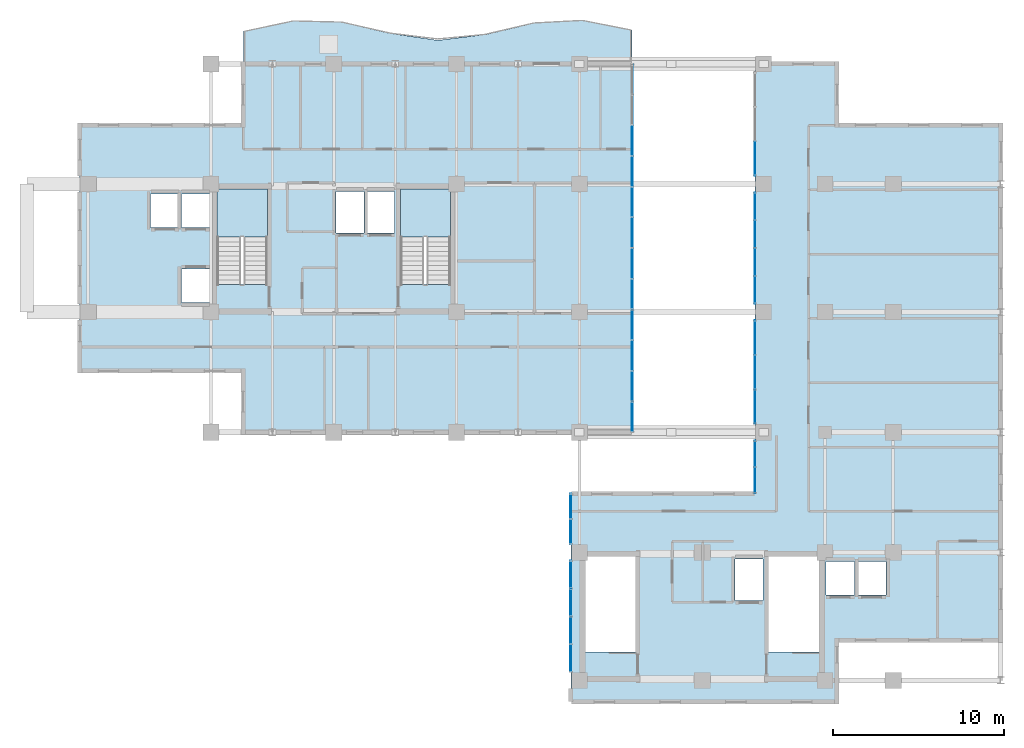
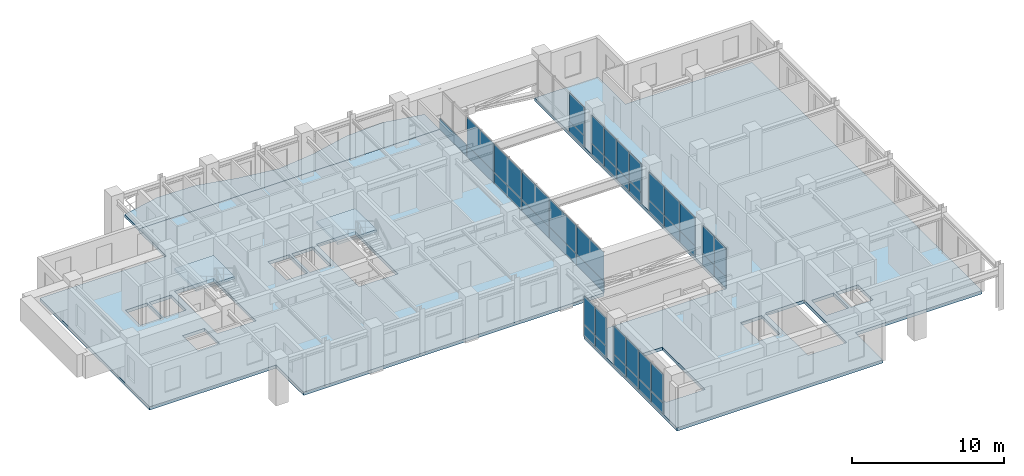
# One storey, part 15 of 23: 43 plates, 5 slabs, 9 elements without a shape of their own.
"""IFC4 building model written with IfcOpenShell, lengths in metres."""

from ifc_helpers import new_model, si_unit, direction, frame, origin, origin_2d, place, context, subcontext, project, spatial, polyline, rectangle, outline, extrude, source, transform, mapped, material, layer, layer_set, type_object, element, aggregate, save


model = new_model("IFC4")

# Units and contexts
model_context = context("Model", 3, precision=1e-05, world=origin(), true_north=direction((0.0, 1.0)))
body_context = subcontext(model_context, "Body", "Model", "MODEL_VIEW")
ifc_project = project(units=[si_unit("LENGTHUNIT", "METRE"), si_unit("AREAUNIT", "SQUARE_METRE"), si_unit("VOLUMEUNIT", "CUBIC_METRE"), si_unit("PLANEANGLEUNIT", "RADIAN"), si_unit("MASSUNIT", "GRAM", prefix="KILO")], contexts=[model_context])

# Site, building, storey
site_placement = place(None, origin())
site = spatial("IfcSite", under=ifc_project, at=site_placement, CompositionType="ELEMENT")
building_placement = place(site_placement, origin())
building = spatial("IfcBuilding", under=site, at=building_placement, Name="Kaliganga Portal Commons", CompositionType="ELEMENT")
storey_placement = place(building_placement, frame((0.0, 0.0, 246.199951171875)))
storey = spatial("IfcBuildingStorey", under=building, at=storey_placement, Name="L63", CompositionType="ELEMENT", Elevation=246.199951171875)

# Slabs
ifc_material_1 = material(Name="Concrete C40/50", Category="concrete")
ifc_layer_1 = layer(ifc_material_1, 0.2099609375)
ifc_layer_set_1 = layer_set([ifc_layer_1], Name="Concrete C40/50")
slab_type_1 = type_object("IfcSlabType", Name="SLB-BALC-210", PredefinedType="FLOOR", material=ifc_layer_set_1)
slab_1_placement = place(storey_placement, frame((0.0, 0.0, -0.2099609375)))
element("IfcSlab", 1, at=slab_1_placement, inside=storey, type_object=slab_type_1, Name="Scalloped Tree-Planter Balcony Slab L63 balc_north", PredefinedType="FLOOR", context=body_context, shape_type="SweptSolid", body=[
    extrude(outline(polyline([(39.10009765625, 43.199951171875), (39.10009765625, 45.19091796875), (36.25, 45.757080078125), (33.39990234375, 45.60791015625), (30.550048828125, 44.931640625), (27.699951171875, 44.583251953125), (24.85009765625, 45.002685546875), (22.0, 45.66015625), (19.14990234375, 45.724609375), (16.300048828125, 45.11474609375), (16.300048828125, 43.199951171875), (39.10009765625, 43.199951171875)])), origin(), (0.0, 0.0, 1.0), 0.2099609375),
])
ifc_material_2 = material(Name="Concrete C50/60", Category="concrete")
ifc_layer_2 = layer(ifc_material_2, 0.260009765625)
ifc_layer_set_2 = layer_set([ifc_layer_2], Name="Concrete C50/60")
slab_type_2 = type_object("IfcSlabType", Name="SLB-PORTAL-260", PredefinedType="FLOOR", material=ifc_layer_set_2)
slab_2_placement = place(storey_placement, frame((0.0, 0.0, -0.260009765625)))
element("IfcSlab", 2, at=slab_2_placement, inside=storey, type_object=slab_type_2, Name="Structural Floor Slab L63:W1", PredefinedType="FLOOR", context=body_context, shape_type="SweptSolid", body=[
    extrude(outline(polyline([(16.300048828125, 21.60009765625), (39.10009765625, 21.60009765625), (39.10009765625, 43.199951171875), (16.300048828125, 43.199951171875), (16.300048828125, 39.60009765625), (6.699951171875, 39.60009765625), (6.699951171875, 25.199951171875), (16.300048828125, 25.199951171875), (16.300048828125, 21.60009765625)]), holes=[polyline([(14.75, 30.25390625), (14.75, 35.85009765625), (17.699951171875, 35.85009765625), (17.699951171875, 30.25390625), (14.75, 30.25390625)]), polyline([(25.5, 30.25390625), (25.5, 35.85009765625), (28.449951171875, 35.85009765625), (28.449951171875, 30.25390625), (25.5, 30.25390625)]), polyline([(12.6650390625, 33.614990234375), (12.6650390625, 35.5849609375), (14.3349609375, 35.5849609375), (14.3349609375, 33.614990234375), (12.6650390625, 33.614990234375)]), polyline([(12.6650390625, 29.215087890625), (12.6650390625, 31.18505859375), (14.3349609375, 31.18505859375), (14.3349609375, 29.215087890625), (12.6650390625, 29.215087890625)]), polyline([(10.864990234375, 33.614990234375), (10.864990234375, 35.5849609375), (12.534912109375, 35.5849609375), (12.534912109375, 33.614990234375), (10.864990234375, 33.614990234375)]), polyline([(21.739990234375, 33.2900390625), (21.739990234375, 35.7099609375), (23.360107421875, 35.7099609375), (23.360107421875, 33.2900390625), (21.739990234375, 33.2900390625)]), polyline([(23.5400390625, 33.2900390625), (23.5400390625, 35.7099609375), (25.159912109375, 35.7099609375), (25.159912109375, 33.2900390625), (23.5400390625, 33.2900390625)])]), origin(), (0.0, 0.0, 1.0), 0.260009765625),
])
slab_3_placement = place(storey_placement, frame((0.0, 0.0, -0.260009765625)))
element("IfcSlab", 3, at=slab_3_placement, inside=storey, type_object=slab_type_2, Name="Structural Floor Slab L63:W2", PredefinedType="FLOOR", context=body_context, shape_type="SweptSolid", body=[
    extrude(outline(polyline([(35.5, 5.800048828125), (51.10009765625, 5.800048828125), (51.10009765625, 9.39990234375), (60.699951171875, 9.39990234375), (60.699951171875, 39.60009765625), (51.10009765625, 39.60009765625), (51.10009765625, 43.199951171875), (46.300048828125, 43.199951171875), (46.300048828125, 18.0), (35.5, 18.0), (35.5, 5.800048828125)]), holes=[polyline([(36.35009765625, 8.7041015625), (36.35009765625, 14.300048828125), (39.300048828125, 14.300048828125), (39.300048828125, 8.7041015625), (36.35009765625, 8.7041015625)]), polyline([(47.10009765625, 8.7041015625), (47.10009765625, 14.300048828125), (50.050048828125, 14.300048828125), (50.050048828125, 8.7041015625), (47.10009765625, 8.7041015625)]), polyline([(50.465087890625, 12.06494140625), (50.465087890625, 14.034912109375), (52.135009765625, 14.034912109375), (52.135009765625, 12.06494140625), (50.465087890625, 12.06494140625)]), polyline([(52.31494140625, 12.06494140625), (52.31494140625, 14.034912109375), (53.985107421875, 14.034912109375), (53.985107421875, 12.06494140625), (52.31494140625, 12.06494140625)]), polyline([(45.139892578125, 11.739990234375), (45.139892578125, 14.159912109375), (46.760009765625, 14.159912109375), (46.760009765625, 11.739990234375), (45.139892578125, 11.739990234375)])]), origin(), (0.0, 0.0, 1.0), 0.260009765625),
])

# Stair, slab
stair_type = type_object("IfcStairType", Name="ST-CORE-DOGLEG", PredefinedType="HALF_TURN_STAIR", material=ifc_material_1)
stair_1_placement = place(storey_placement, origin())
stair_1 = element("IfcStair", 4, at=stair_1_placement, inside=storey, type_object=stair_type, Name="L63 Protected Exit Stair ST-A1", PredefinedType="HALF_TURN_STAIR")
ifc_layer_3 = layer(ifc_material_1, 0.199951171875)
ifc_layer_set_3 = layer_set([ifc_layer_3], Name="Concrete C40/50")
slab_type_3 = type_object("IfcSlabType", Name="SLB-STAIR-LND", PredefinedType="LANDING", material=ifc_layer_set_3)
slab_4_placement = place(storey_placement, frame((0.0, 0.0, 1.650146484375)))
slab_4 = element("IfcSlab", 5, at=slab_4_placement, type_object=slab_type_3, Name="ST-A1 landing 1", PredefinedType="LANDING", context=body_context, shape_type="SweptSolid", body=[
    extrude(outline(polyline([(17.699951171875, 33.050048828125), (17.699951171875, 35.85009765625), (14.75, 35.85009765625), (14.75, 33.050048828125), (17.699951171875, 33.050048828125)])), origin(), (0.0, 0.0, 1.0), 0.199951171875),
])
aggregate(stair_1, [slab_4])

stair_2_placement = place(storey_placement, origin())
stair_2 = element("IfcStair", 6, at=stair_2_placement, inside=storey, type_object=stair_type, Name="L63 Protected Exit Stair ST-A2", PredefinedType="HALF_TURN_STAIR")
slab_5_placement = place(storey_placement, frame((0.0, 0.0, 1.650146484375)))
slab_5 = element("IfcSlab", 7, at=slab_5_placement, type_object=slab_type_3, Name="ST-A2 landing 1", PredefinedType="LANDING", context=body_context, shape_type="SweptSolid", body=[
    extrude(outline(polyline([(28.449951171875, 33.050048828125), (28.449951171875, 35.85009765625), (25.5, 35.85009765625), (25.5, 33.050048828125), (28.449951171875, 33.050048828125)])), origin(), (0.0, 0.0, 1.0), 0.199951171875),
])
aggregate(stair_2, [slab_5])

# Curtain wall, plates
ifc_material_3 = material(Name="Anodized Aluminium and Laminated Low-E Glass", Category="aluminium")
ifc_layer_4 = layer(ifc_material_3, 0.239990234375)
ifc_layer_set_4 = layer_set([ifc_layer_4], Name="Anodized Aluminium and Laminated Low-E Glass")
curtain_wall_type = type_object("IfcCurtainWallType", Name="CW-SYS-04", PredefinedType="NOTDEFINED", material=ifc_layer_set_4)
curtain_wall_1_placement = place(storey_placement, origin())
curtain_wall_1 = element("IfcCurtainWall", 8, at=curtain_wall_1_placement, inside=storey, type_object=curtain_wall_type, Name="CW 04 L63 P1E01S1", PredefinedType="NOTDEFINED")
ifc_material_4 = material(Name="Insulated Dark Spandrel Panel", Category="metal")
ifc_layer_5 = layer(ifc_material_4, 0.044921875)
ifc_layer_set_5 = layer_set([ifc_layer_5], Name="Insulated Dark Spandrel Panel")
plate_type_1 = type_object("IfcPlateType", Name="PLT-SPN-45", PredefinedType="SHEET", material=ifc_layer_set_5)
shared_shape_1 = source(origin(), body_context, "Body", "SweptSolid", [
    extrude(rectangle(XDim=3.56005859375, YDim=0.044921875, at=origin_2d()), origin(), (0.0, 0.0, 1.0), 0.8984375),
])
plate_1_placement = place(storey_placement, frame((39.10009765625, 23.39990234375, 0.010009765625), z_axis=(0.0, 0.0, 1.0), x_axis=(0.0, 1.0, 0.0)))
plate_1 = element("IfcPlate", 9, at=plate_1_placement, type_object=plate_type_1, Name="CW:04:L63:P1E01S1 Spandrel 00", PredefinedType="SHEET", context=body_context, shape_type="MappedRepresentation", body=[
    mapped(shared_shape_1, transform((0.0, 0.0, 0.0), x_axis=(1.0, 0.0, 0.0), y_axis=(0.0, 1.0, 0.0), z_axis=(0.0, 0.0, 1.0), scale=1.0)),
])
plate_2_placement = place(storey_placement, frame((39.10009765625, 27.0, 0.010009765625), z_axis=(0.0, 0.0, 1.0), x_axis=(0.0, 1.0, 0.0)))
plate_2 = element("IfcPlate", 10, at=plate_2_placement, type_object=plate_type_1, Name="CW:04:L63:P1E01S1 Spandrel 02", PredefinedType="SHEET", context=body_context, shape_type="MappedRepresentation", body=[
    mapped(shared_shape_1, transform((0.0, 0.0, 0.0), x_axis=(1.0, 0.0, 0.0), y_axis=(0.0, 1.0, 0.0), z_axis=(0.0, 0.0, 1.0), scale=1.0)),
])
plate_3_placement = place(storey_placement, frame((39.10009765625, 30.60009765625, 0.010009765625), z_axis=(0.0, 0.0, 1.0), x_axis=(0.0, 1.0, 0.0)))
plate_3 = element("IfcPlate", 11, at=plate_3_placement, type_object=plate_type_1, Name="CW:04:L63:P1E01S1 Spandrel 04", PredefinedType="SHEET", context=body_context, shape_type="MappedRepresentation", body=[
    mapped(shared_shape_1, transform((0.0, 0.0, 0.0), x_axis=(1.0, 0.0, 0.0), y_axis=(0.0, 1.0, 0.0), z_axis=(0.0, 0.0, 1.0), scale=1.0)),
])
plate_4_placement = place(storey_placement, frame((39.10009765625, 34.199951171875, 0.010009765625), z_axis=(0.0, 0.0, 1.0), x_axis=(0.0, 1.0, 0.0)))
plate_4 = element("IfcPlate", 12, at=plate_4_placement, type_object=plate_type_1, Name="CW:04:L63:P1E01S1 Spandrel 06", PredefinedType="SHEET", context=body_context, shape_type="MappedRepresentation", body=[
    mapped(shared_shape_1, transform((0.0, 0.0, 0.0), x_axis=(1.0, 0.0, 0.0), y_axis=(0.0, 1.0, 0.0), z_axis=(0.0, 0.0, 1.0), scale=1.0)),
])
plate_5_placement = place(storey_placement, frame((39.10009765625, 37.800048828125, 0.010009765625), z_axis=(0.0, 0.0, 1.0), x_axis=(0.0, 1.0, 0.0)))
plate_5 = element("IfcPlate", 13, at=plate_5_placement, type_object=plate_type_1, Name="CW:04:L63:P1E01S1 Spandrel 08", PredefinedType="SHEET", context=body_context, shape_type="MappedRepresentation", body=[
    mapped(shared_shape_1, transform((0.0, 0.0, 0.0), x_axis=(1.0, 0.0, 0.0), y_axis=(0.0, 1.0, 0.0), z_axis=(0.0, 0.0, 1.0), scale=1.0)),
])
plate_6_placement = place(storey_placement, frame((39.10009765625, 41.39990234375, 0.010009765625), z_axis=(0.0, 0.0, 1.0), x_axis=(0.0, 1.0, 0.0)))
plate_6 = element("IfcPlate", 14, at=plate_6_placement, type_object=plate_type_1, Name="CW:04:L63:P1E01S1 Spandrel 10", PredefinedType="SHEET", context=body_context, shape_type="MappedRepresentation", body=[
    mapped(shared_shape_1, transform((0.0, 0.0, 0.0), x_axis=(1.0, 0.0, 0.0), y_axis=(0.0, 1.0, 0.0), z_axis=(0.0, 0.0, 1.0), scale=1.0)),
])
ifc_material_5 = material(Name="Dark Solar-Control Laminated Low-E IGU", Category="glass")
ifc_layer_6 = layer(ifc_material_5, 0.028076171875)
ifc_layer_set_6 = layer_set([ifc_layer_6], Name="Dark Solar-Control Laminated Low-E IGU")
plate_type_2 = type_object("IfcPlateType", Name="PLT-GLZ-28", PredefinedType="CURTAIN_PANEL", material=ifc_layer_set_6)
shared_shape_2 = source(origin(), body_context, "Body", "SweptSolid", [
    extrude(rectangle(XDim=3.56005859375, YDim=0.028076171875, at=origin_2d()), origin(), (0.0, 0.0, 1.0), 2.26171875),
])
plate_7_placement = place(storey_placement, frame((39.10009765625, 23.39990234375, 0.928466796875), z_axis=(0.0, 0.0, 1.0), x_axis=(0.0, 1.0, 0.0)))
plate_7 = element("IfcPlate", 15, at=plate_7_placement, type_object=plate_type_2, Name="CW:04:L63:P1E01S1 Vision IGU 00", PredefinedType="CURTAIN_PANEL", context=body_context, shape_type="MappedRepresentation", body=[
    mapped(shared_shape_2, transform((0.0, 0.0, 0.0), x_axis=(1.0, 0.0, 0.0), y_axis=(0.0, 1.0, 0.0), z_axis=(0.0, 0.0, 1.0), scale=1.0)),
])
plate_8_placement = place(storey_placement, frame((39.10009765625, 27.0, 0.928466796875), z_axis=(0.0, 0.0, 1.0), x_axis=(0.0, 1.0, 0.0)))
plate_8 = element("IfcPlate", 16, at=plate_8_placement, type_object=plate_type_2, Name="CW:04:L63:P1E01S1 Vision IGU 02", PredefinedType="CURTAIN_PANEL", context=body_context, shape_type="MappedRepresentation", body=[
    mapped(shared_shape_2, transform((0.0, 0.0, 0.0), x_axis=(1.0, 0.0, 0.0), y_axis=(0.0, 1.0, 0.0), z_axis=(0.0, 0.0, 1.0), scale=1.0)),
])
plate_9_placement = place(storey_placement, frame((39.10009765625, 30.60009765625, 0.928466796875), z_axis=(0.0, 0.0, 1.0), x_axis=(0.0, 1.0, 0.0)))
plate_9 = element("IfcPlate", 17, at=plate_9_placement, type_object=plate_type_2, Name="CW:04:L63:P1E01S1 Vision IGU 04", PredefinedType="CURTAIN_PANEL", context=body_context, shape_type="MappedRepresentation", body=[
    mapped(shared_shape_2, transform((0.0, 0.0, 0.0), x_axis=(1.0, 0.0, 0.0), y_axis=(0.0, 1.0, 0.0), z_axis=(0.0, 0.0, 1.0), scale=1.0)),
])
plate_10_placement = place(storey_placement, frame((39.10009765625, 34.199951171875, 0.928466796875), z_axis=(0.0, 0.0, 1.0), x_axis=(0.0, 1.0, 0.0)))
plate_10 = element("IfcPlate", 18, at=plate_10_placement, type_object=plate_type_2, Name="CW:04:L63:P1E01S1 Vision IGU 06", PredefinedType="CURTAIN_PANEL", context=body_context, shape_type="MappedRepresentation", body=[
    mapped(shared_shape_2, transform((0.0, 0.0, 0.0), x_axis=(1.0, 0.0, 0.0), y_axis=(0.0, 1.0, 0.0), z_axis=(0.0, 0.0, 1.0), scale=1.0)),
])
plate_11_placement = place(storey_placement, frame((39.10009765625, 37.800048828125, 0.928466796875), z_axis=(0.0, 0.0, 1.0), x_axis=(0.0, 1.0, 0.0)))
plate_11 = element("IfcPlate", 19, at=plate_11_placement, type_object=plate_type_2, Name="CW:04:L63:P1E01S1 Vision IGU 08", PredefinedType="CURTAIN_PANEL", context=body_context, shape_type="MappedRepresentation", body=[
    mapped(shared_shape_2, transform((0.0, 0.0, 0.0), x_axis=(1.0, 0.0, 0.0), y_axis=(0.0, 1.0, 0.0), z_axis=(0.0, 0.0, 1.0), scale=1.0)),
])
aggregate(curtain_wall_1, [plate_1, plate_7, plate_2, plate_8, plate_3, plate_9, plate_4, plate_10, plate_5, plate_11, plate_6])

# Curtain wall, plate
curtain_wall_2_placement = place(storey_placement, origin())
curtain_wall_2 = element("IfcCurtainWall", 20, at=curtain_wall_2_placement, inside=storey, type_object=curtain_wall_type, Name="CW 04 L63 P2E07S1", PredefinedType="NOTDEFINED")
shared_shape_3 = source(origin(), body_context, "Body", "SweptSolid", [
    extrude(rectangle(XDim=1.99267578125, YDim=0.044921875, at=origin_2d()), origin(), (0.0, 0.0, 1.0), 0.8984375),
])
plate_12_placement = place(storey_placement, frame((46.300048828125, 37.642333984375, 0.010009765625), z_axis=(0.0, 0.0, 1.0), x_axis=(0.0, -1.0, 0.0)))
plate_12 = element("IfcPlate", 21, at=plate_12_placement, type_object=plate_type_1, Name="CW:04:L63:P2E07S1 Spandrel 02", PredefinedType="SHEET", context=body_context, shape_type="MappedRepresentation", body=[
    mapped(shared_shape_3, transform((0.0, 0.0, 0.0), x_axis=(1.0, 0.0, 0.0), y_axis=(0.0, 1.0, 0.0), z_axis=(0.0, 0.0, 1.0), scale=1.0)),
])

# Curtain wall, plates
curtain_wall_3_placement = place(storey_placement, origin())
curtain_wall_3 = element("IfcCurtainWall", 22, at=curtain_wall_3_placement, inside=storey, type_object=curtain_wall_type, Name="CW 04 L63 P2E07S3", PredefinedType="NOTDEFINED")
plate_13_placement = place(storey_placement, frame((46.300048828125, 27.15771484375, 0.010009765625), z_axis=(0.0, 0.0, 1.0), x_axis=(0.0, -1.0, 0.0)))
plate_13 = element("IfcPlate", 23, at=plate_13_placement, type_object=plate_type_1, Name="CW:04:L63:P2E07S3 Spandrel 00", PredefinedType="SHEET", context=body_context, shape_type="MappedRepresentation", body=[
    mapped(shared_shape_3, transform((0.0, 0.0, 0.0), x_axis=(1.0, 0.0, 0.0), y_axis=(0.0, 1.0, 0.0), z_axis=(0.0, 0.0, 1.0), scale=1.0)),
])
plate_14_placement = place(storey_placement, frame((46.300048828125, 25.125, 0.010009765625), z_axis=(0.0, 0.0, 1.0), x_axis=(0.0, -1.0, 0.0)))
plate_14 = element("IfcPlate", 24, at=plate_14_placement, type_object=plate_type_1, Name="CW:04:L63:P2E07S3 Spandrel 01", PredefinedType="SHEET", context=body_context, shape_type="MappedRepresentation", body=[
    mapped(shared_shape_3, transform((0.0, 0.0, 0.0), x_axis=(1.0, 0.0, 0.0), y_axis=(0.0, 1.0, 0.0), z_axis=(0.0, 0.0, 1.0), scale=1.0)),
])
plate_15_placement = place(storey_placement, frame((46.300048828125, 23.09228515625, 0.010009765625), z_axis=(0.0, 0.0, 1.0), x_axis=(0.0, -1.0, 0.0)))
plate_15 = element("IfcPlate", 25, at=plate_15_placement, type_object=plate_type_1, Name="CW:04:L63:P2E07S3 Spandrel 02", PredefinedType="SHEET", context=body_context, shape_type="MappedRepresentation", body=[
    mapped(shared_shape_3, transform((0.0, 0.0, 0.0), x_axis=(1.0, 0.0, 0.0), y_axis=(0.0, 1.0, 0.0), z_axis=(0.0, 0.0, 1.0), scale=1.0)),
])

# Plate
shared_shape_4 = source(origin(), body_context, "Body", "SweptSolid", [
    extrude(rectangle(XDim=1.99267578125, YDim=0.028076171875, at=origin_2d()), origin(), (0.0, 0.0, 1.0), 2.26171875),
])
plate_16_placement = place(storey_placement, frame((46.300048828125, 37.642333984375, 0.928466796875), z_axis=(0.0, 0.0, 1.0), x_axis=(0.0, -1.0, 0.0)))
plate_16 = element("IfcPlate", 26, at=plate_16_placement, type_object=plate_type_2, Name="CW:04:L63:P2E07S1 Vision IGU 02", PredefinedType="CURTAIN_PANEL", context=body_context, shape_type="MappedRepresentation", body=[
    mapped(shared_shape_4, transform((0.0, 0.0, 0.0), x_axis=(1.0, 0.0, 0.0), y_axis=(0.0, 1.0, 0.0), z_axis=(0.0, 0.0, 1.0), scale=1.0)),
])

aggregate(curtain_wall_2, [plate_12, plate_16])

plate_17_placement = place(storey_placement, frame((46.300048828125, 27.15771484375, 0.928466796875), z_axis=(0.0, 0.0, 1.0), x_axis=(0.0, -1.0, 0.0)))
plate_17 = element("IfcPlate", 27, at=plate_17_placement, type_object=plate_type_2, Name="CW:04:L63:P2E07S3 Vision IGU 00", PredefinedType="CURTAIN_PANEL", context=body_context, shape_type="MappedRepresentation", body=[
    mapped(shared_shape_4, transform((0.0, 0.0, 0.0), x_axis=(1.0, 0.0, 0.0), y_axis=(0.0, 1.0, 0.0), z_axis=(0.0, 0.0, 1.0), scale=1.0)),
])

plate_18_placement = place(storey_placement, frame((46.300048828125, 25.125, 0.928466796875), z_axis=(0.0, 0.0, 1.0), x_axis=(0.0, -1.0, 0.0)))
plate_18 = element("IfcPlate", 28, at=plate_18_placement, type_object=plate_type_2, Name="CW:04:L63:P2E07S3 Vision IGU 01", PredefinedType="CURTAIN_PANEL", context=body_context, shape_type="MappedRepresentation", body=[
    mapped(shared_shape_4, transform((0.0, 0.0, 0.0), x_axis=(1.0, 0.0, 0.0), y_axis=(0.0, 1.0, 0.0), z_axis=(0.0, 0.0, 1.0), scale=1.0)),
])

plate_19_placement = place(storey_placement, frame((46.300048828125, 23.09228515625, 0.928466796875), z_axis=(0.0, 0.0, 1.0), x_axis=(0.0, -1.0, 0.0)))
plate_19 = element("IfcPlate", 29, at=plate_19_placement, type_object=plate_type_2, Name="CW:04:L63:P2E07S3 Vision IGU 02", PredefinedType="CURTAIN_PANEL", context=body_context, shape_type="MappedRepresentation", body=[
    mapped(shared_shape_4, transform((0.0, 0.0, 0.0), x_axis=(1.0, 0.0, 0.0), y_axis=(0.0, 1.0, 0.0), z_axis=(0.0, 0.0, 1.0), scale=1.0)),
])

aggregate(curtain_wall_3, [plate_13, plate_17, plate_14, plate_18, plate_15, plate_19])

# Curtain wall, plates
curtain_wall_4_placement = place(storey_placement, origin())
curtain_wall_4 = element("IfcCurtainWall", 30, at=curtain_wall_4_placement, inside=storey, type_object=curtain_wall_type, Name="CW 04 L63 P2E07S2", PredefinedType="NOTDEFINED")
shared_shape_5 = source(origin(), body_context, "Body", "SweptSolid", [
    extrude(rectangle(XDim=1.596923828125, YDim=0.044921875, at=origin_2d()), origin(), (0.0, 0.0, 1.0), 0.8984375),
])
plate_20_placement = place(storey_placement, frame((46.300048828125, 34.85546875, 0.010009765625), z_axis=(0.0, 0.0, 1.0), x_axis=(0.0, -1.0, 0.0)))
plate_20 = element("IfcPlate", 31, at=plate_20_placement, type_object=plate_type_1, Name="CW:04:L63:P2E07S2 Spandrel 00", PredefinedType="SHEET", context=body_context, shape_type="MappedRepresentation", body=[
    mapped(shared_shape_5, transform((0.0, 0.0, 0.0), x_axis=(1.0, 0.0, 0.0), y_axis=(0.0, 1.0, 0.0), z_axis=(0.0, 0.0, 1.0), scale=1.0)),
])
plate_21_placement = place(storey_placement, frame((46.300048828125, 33.218505859375, 0.010009765625), z_axis=(0.0, 0.0, 1.0), x_axis=(0.0, -1.0, 0.0)))
plate_21 = element("IfcPlate", 32, at=plate_21_placement, type_object=plate_type_1, Name="CW:04:L63:P2E07S2 Spandrel 01", PredefinedType="SHEET", context=body_context, shape_type="MappedRepresentation", body=[
    mapped(shared_shape_5, transform((0.0, 0.0, 0.0), x_axis=(1.0, 0.0, 0.0), y_axis=(0.0, 1.0, 0.0), z_axis=(0.0, 0.0, 1.0), scale=1.0)),
])
plate_22_placement = place(storey_placement, frame((46.300048828125, 31.58154296875, 0.010009765625), z_axis=(0.0, 0.0, 1.0), x_axis=(0.0, -1.0, 0.0)))
plate_22 = element("IfcPlate", 33, at=plate_22_placement, type_object=plate_type_1, Name="CW:04:L63:P2E07S2 Spandrel 02", PredefinedType="SHEET", context=body_context, shape_type="MappedRepresentation", body=[
    mapped(shared_shape_5, transform((0.0, 0.0, 0.0), x_axis=(1.0, 0.0, 0.0), y_axis=(0.0, 1.0, 0.0), z_axis=(0.0, 0.0, 1.0), scale=1.0)),
])
plate_23_placement = place(storey_placement, frame((46.300048828125, 29.944580078125, 0.010009765625), z_axis=(0.0, 0.0, 1.0), x_axis=(0.0, -1.0, 0.0)))
plate_23 = element("IfcPlate", 34, at=plate_23_placement, type_object=plate_type_1, Name="CW:04:L63:P2E07S2 Spandrel 03", PredefinedType="SHEET", context=body_context, shape_type="MappedRepresentation", body=[
    mapped(shared_shape_5, transform((0.0, 0.0, 0.0), x_axis=(1.0, 0.0, 0.0), y_axis=(0.0, 1.0, 0.0), z_axis=(0.0, 0.0, 1.0), scale=1.0)),
])

curtain_wall_5_placement = place(storey_placement, origin())
curtain_wall_5 = element("IfcCurtainWall", 35, at=curtain_wall_5_placement, inside=storey, type_object=curtain_wall_type, Name="CW 04 L63 P2E09S2", PredefinedType="NOTDEFINED")
plate_24_placement = place(storey_placement, frame((35.5, 13.255615234375, 0.010009765625), z_axis=(0.0, 0.0, 1.0), x_axis=(0.0, -1.0, 0.0)))
plate_24 = element("IfcPlate", 36, at=plate_24_placement, type_object=plate_type_1, Name="CW:04:L63:P2E09S2 Spandrel 00", PredefinedType="SHEET", context=body_context, shape_type="MappedRepresentation", body=[
    mapped(shared_shape_5, transform((0.0, 0.0, 0.0), x_axis=(1.0, 0.0, 0.0), y_axis=(0.0, 1.0, 0.0), z_axis=(0.0, 0.0, 1.0), scale=1.0)),
])
plate_25_placement = place(storey_placement, frame((35.5, 11.618408203125, 0.010009765625), z_axis=(0.0, 0.0, 1.0), x_axis=(0.0, -1.0, 0.0)))
plate_25 = element("IfcPlate", 37, at=plate_25_placement, type_object=plate_type_1, Name="CW:04:L63:P2E09S2 Spandrel 01", PredefinedType="SHEET", context=body_context, shape_type="MappedRepresentation", body=[
    mapped(shared_shape_5, transform((0.0, 0.0, 0.0), x_axis=(1.0, 0.0, 0.0), y_axis=(0.0, 1.0, 0.0), z_axis=(0.0, 0.0, 1.0), scale=1.0)),
])
plate_26_placement = place(storey_placement, frame((35.5, 9.9814453125, 0.010009765625), z_axis=(0.0, 0.0, 1.0), x_axis=(0.0, -1.0, 0.0)))
plate_26 = element("IfcPlate", 38, at=plate_26_placement, type_object=plate_type_1, Name="CW:04:L63:P2E09S2 Spandrel 02", PredefinedType="SHEET", context=body_context, shape_type="MappedRepresentation", body=[
    mapped(shared_shape_5, transform((0.0, 0.0, 0.0), x_axis=(1.0, 0.0, 0.0), y_axis=(0.0, 1.0, 0.0), z_axis=(0.0, 0.0, 1.0), scale=1.0)),
])
plate_27_placement = place(storey_placement, frame((35.5, 8.344482421875, 0.010009765625), z_axis=(0.0, 0.0, 1.0), x_axis=(0.0, -1.0, 0.0)))
plate_27 = element("IfcPlate", 39, at=plate_27_placement, type_object=plate_type_1, Name="CW:04:L63:P2E09S2 Spandrel 03", PredefinedType="SHEET", context=body_context, shape_type="MappedRepresentation", body=[
    mapped(shared_shape_5, transform((0.0, 0.0, 0.0), x_axis=(1.0, 0.0, 0.0), y_axis=(0.0, 1.0, 0.0), z_axis=(0.0, 0.0, 1.0), scale=1.0)),
])

# Plate
shared_shape_6 = source(origin(), body_context, "Body", "SweptSolid", [
    extrude(rectangle(XDim=1.596923828125, YDim=0.028076171875, at=origin_2d()), origin(), (0.0, 0.0, 1.0), 2.26171875),
])
plate_28_placement = place(storey_placement, frame((46.300048828125, 34.85546875, 0.928466796875), z_axis=(0.0, 0.0, 1.0), x_axis=(0.0, -1.0, 0.0)))
plate_28 = element("IfcPlate", 40, at=plate_28_placement, type_object=plate_type_2, Name="CW:04:L63:P2E07S2 Vision IGU 00", PredefinedType="CURTAIN_PANEL", context=body_context, shape_type="MappedRepresentation", body=[
    mapped(shared_shape_6, transform((0.0, 0.0, 0.0), x_axis=(1.0, 0.0, 0.0), y_axis=(0.0, 1.0, 0.0), z_axis=(0.0, 0.0, 1.0), scale=1.0)),
])

plate_29_placement = place(storey_placement, frame((46.300048828125, 33.218505859375, 0.928466796875), z_axis=(0.0, 0.0, 1.0), x_axis=(0.0, -1.0, 0.0)))
plate_29 = element("IfcPlate", 41, at=plate_29_placement, type_object=plate_type_2, Name="CW:04:L63:P2E07S2 Vision IGU 01", PredefinedType="CURTAIN_PANEL", context=body_context, shape_type="MappedRepresentation", body=[
    mapped(shared_shape_6, transform((0.0, 0.0, 0.0), x_axis=(1.0, 0.0, 0.0), y_axis=(0.0, 1.0, 0.0), z_axis=(0.0, 0.0, 1.0), scale=1.0)),
])

plate_30_placement = place(storey_placement, frame((46.300048828125, 31.58154296875, 0.928466796875), z_axis=(0.0, 0.0, 1.0), x_axis=(0.0, -1.0, 0.0)))
plate_30 = element("IfcPlate", 42, at=plate_30_placement, type_object=plate_type_2, Name="CW:04:L63:P2E07S2 Vision IGU 02", PredefinedType="CURTAIN_PANEL", context=body_context, shape_type="MappedRepresentation", body=[
    mapped(shared_shape_6, transform((0.0, 0.0, 0.0), x_axis=(1.0, 0.0, 0.0), y_axis=(0.0, 1.0, 0.0), z_axis=(0.0, 0.0, 1.0), scale=1.0)),
])

plate_31_placement = place(storey_placement, frame((46.300048828125, 29.944580078125, 0.928466796875), z_axis=(0.0, 0.0, 1.0), x_axis=(0.0, -1.0, 0.0)))
plate_31 = element("IfcPlate", 43, at=plate_31_placement, type_object=plate_type_2, Name="CW:04:L63:P2E07S2 Vision IGU 03", PredefinedType="CURTAIN_PANEL", context=body_context, shape_type="MappedRepresentation", body=[
    mapped(shared_shape_6, transform((0.0, 0.0, 0.0), x_axis=(1.0, 0.0, 0.0), y_axis=(0.0, 1.0, 0.0), z_axis=(0.0, 0.0, 1.0), scale=1.0)),
])

aggregate(curtain_wall_4, [plate_20, plate_28, plate_21, plate_29, plate_22, plate_30, plate_23, plate_31])

plate_32_placement = place(storey_placement, frame((35.5, 13.255615234375, 0.928466796875), z_axis=(0.0, 0.0, 1.0), x_axis=(0.0, -1.0, 0.0)))
plate_32 = element("IfcPlate", 44, at=plate_32_placement, type_object=plate_type_2, Name="CW:04:L63:P2E09S2 Vision IGU 00", PredefinedType="CURTAIN_PANEL", context=body_context, shape_type="MappedRepresentation", body=[
    mapped(shared_shape_6, transform((0.0, 0.0, 0.0), x_axis=(1.0, 0.0, 0.0), y_axis=(0.0, 1.0, 0.0), z_axis=(0.0, 0.0, 1.0), scale=1.0)),
])

plate_33_placement = place(storey_placement, frame((35.5, 11.618408203125, 0.928466796875), z_axis=(0.0, 0.0, 1.0), x_axis=(0.0, -1.0, 0.0)))
plate_33 = element("IfcPlate", 45, at=plate_33_placement, type_object=plate_type_2, Name="CW:04:L63:P2E09S2 Vision IGU 01", PredefinedType="CURTAIN_PANEL", context=body_context, shape_type="MappedRepresentation", body=[
    mapped(shared_shape_6, transform((0.0, 0.0, 0.0), x_axis=(1.0, 0.0, 0.0), y_axis=(0.0, 1.0, 0.0), z_axis=(0.0, 0.0, 1.0), scale=1.0)),
])

plate_34_placement = place(storey_placement, frame((35.5, 9.9814453125, 0.928466796875), z_axis=(0.0, 0.0, 1.0), x_axis=(0.0, -1.0, 0.0)))
plate_34 = element("IfcPlate", 46, at=plate_34_placement, type_object=plate_type_2, Name="CW:04:L63:P2E09S2 Vision IGU 02", PredefinedType="CURTAIN_PANEL", context=body_context, shape_type="MappedRepresentation", body=[
    mapped(shared_shape_6, transform((0.0, 0.0, 0.0), x_axis=(1.0, 0.0, 0.0), y_axis=(0.0, 1.0, 0.0), z_axis=(0.0, 0.0, 1.0), scale=1.0)),
])

plate_35_placement = place(storey_placement, frame((35.5, 8.344482421875, 0.928466796875), z_axis=(0.0, 0.0, 1.0), x_axis=(0.0, -1.0, 0.0)))
plate_35 = element("IfcPlate", 47, at=plate_35_placement, type_object=plate_type_2, Name="CW:04:L63:P2E09S2 Vision IGU 03", PredefinedType="CURTAIN_PANEL", context=body_context, shape_type="MappedRepresentation", body=[
    mapped(shared_shape_6, transform((0.0, 0.0, 0.0), x_axis=(1.0, 0.0, 0.0), y_axis=(0.0, 1.0, 0.0), z_axis=(0.0, 0.0, 1.0), scale=1.0)),
])

aggregate(curtain_wall_5, [plate_24, plate_32, plate_25, plate_33, plate_26, plate_34, plate_27, plate_35])

# Curtain wall, plates
curtain_wall_6_placement = place(storey_placement, origin())
curtain_wall_6 = element("IfcCurtainWall", 48, at=curtain_wall_6_placement, inside=storey, type_object=curtain_wall_type, Name="CW 04 L63 P2E07S4", PredefinedType="NOTDEFINED")
shared_shape_7 = source(origin(), body_context, "Body", "SweptSolid", [
    extrude(rectangle(XDim=1.52197265625, YDim=0.044921875, at=origin_2d()), origin(), (0.0, 0.0, 1.0), 0.8984375),
])
plate_36_placement = place(storey_placement, frame((46.300048828125, 20.343017578125, 0.010009765625), z_axis=(0.0, 0.0, 1.0), x_axis=(0.0, -1.0, 0.0)))
plate_36 = element("IfcPlate", 49, at=plate_36_placement, type_object=plate_type_1, Name="CW:04:L63:P2E07S4 Spandrel 00", PredefinedType="SHEET", context=body_context, shape_type="MappedRepresentation", body=[
    mapped(shared_shape_7, transform((0.0, 0.0, 0.0), x_axis=(1.0, 0.0, 0.0), y_axis=(0.0, 1.0, 0.0), z_axis=(0.0, 0.0, 1.0), scale=1.0)),
])
plate_37_placement = place(storey_placement, frame((46.300048828125, 18.781005859375, 0.010009765625), z_axis=(0.0, 0.0, 1.0), x_axis=(0.0, -1.0, 0.0)))
plate_37 = element("IfcPlate", 50, at=plate_37_placement, type_object=plate_type_1, Name="CW:04:L63:P2E07S4 Spandrel 01", PredefinedType="SHEET", context=body_context, shape_type="MappedRepresentation", body=[
    mapped(shared_shape_7, transform((0.0, 0.0, 0.0), x_axis=(1.0, 0.0, 0.0), y_axis=(0.0, 1.0, 0.0), z_axis=(0.0, 0.0, 1.0), scale=1.0)),
])
shared_shape_8 = source(origin(), body_context, "Body", "SweptSolid", [
    extrude(rectangle(XDim=1.52197265625, YDim=0.028076171875, at=origin_2d()), origin(), (0.0, 0.0, 1.0), 2.26171875),
])
plate_38_placement = place(storey_placement, frame((46.300048828125, 20.343017578125, 0.928466796875), z_axis=(0.0, 0.0, 1.0), x_axis=(0.0, -1.0, 0.0)))
plate_38 = element("IfcPlate", 51, at=plate_38_placement, type_object=plate_type_2, Name="CW:04:L63:P2E07S4 Vision IGU 00", PredefinedType="CURTAIN_PANEL", context=body_context, shape_type="MappedRepresentation", body=[
    mapped(shared_shape_8, transform((0.0, 0.0, 0.0), x_axis=(1.0, 0.0, 0.0), y_axis=(0.0, 1.0, 0.0), z_axis=(0.0, 0.0, 1.0), scale=1.0)),
])
plate_39_placement = place(storey_placement, frame((46.300048828125, 18.781005859375, 0.928466796875), z_axis=(0.0, 0.0, 1.0), x_axis=(0.0, -1.0, 0.0)))
plate_39 = element("IfcPlate", 52, at=plate_39_placement, type_object=plate_type_2, Name="CW:04:L63:P2E07S4 Vision IGU 01", PredefinedType="CURTAIN_PANEL", context=body_context, shape_type="MappedRepresentation", body=[
    mapped(shared_shape_8, transform((0.0, 0.0, 0.0), x_axis=(1.0, 0.0, 0.0), y_axis=(0.0, 1.0, 0.0), z_axis=(0.0, 0.0, 1.0), scale=1.0)),
])
aggregate(curtain_wall_6, [plate_36, plate_38, plate_37, plate_39])

curtain_wall_7_placement = place(storey_placement, origin())
curtain_wall_7 = element("IfcCurtainWall", 53, at=curtain_wall_7_placement, inside=storey, type_object=curtain_wall_type, Name="CW 04 L63 P2E09S1", PredefinedType="NOTDEFINED")
shared_shape_9 = source(origin(), body_context, "Body", "SweptSolid", [
    extrude(rectangle(XDim=1.447021484375, YDim=0.044921875, at=origin_2d()), origin(), (0.0, 0.0, 1.0), 0.8984375),
])
plate_40_placement = place(storey_placement, frame((35.5, 17.256591796875, 0.010009765625), z_axis=(0.0, 0.0, 1.0), x_axis=(0.0, -1.0, 0.0)))
plate_40 = element("IfcPlate", 54, at=plate_40_placement, type_object=plate_type_1, Name="CW:04:L63:P2E09S1 Spandrel 00", PredefinedType="SHEET", context=body_context, shape_type="MappedRepresentation", body=[
    mapped(shared_shape_9, transform((0.0, 0.0, 0.0), x_axis=(1.0, 0.0, 0.0), y_axis=(0.0, 1.0, 0.0), z_axis=(0.0, 0.0, 1.0), scale=1.0)),
])
plate_41_placement = place(storey_placement, frame((35.5, 15.76953125, 0.010009765625), z_axis=(0.0, 0.0, 1.0), x_axis=(0.0, -1.0, 0.0)))
plate_41 = element("IfcPlate", 55, at=plate_41_placement, type_object=plate_type_1, Name="CW:04:L63:P2E09S1 Spandrel 01", PredefinedType="SHEET", context=body_context, shape_type="MappedRepresentation", body=[
    mapped(shared_shape_9, transform((0.0, 0.0, 0.0), x_axis=(1.0, 0.0, 0.0), y_axis=(0.0, 1.0, 0.0), z_axis=(0.0, 0.0, 1.0), scale=1.0)),
])
shared_shape_10 = source(origin(), body_context, "Body", "SweptSolid", [
    extrude(rectangle(XDim=1.447021484375, YDim=0.028076171875, at=origin_2d()), origin(), (0.0, 0.0, 1.0), 2.26171875),
])
plate_42_placement = place(storey_placement, frame((35.5, 17.256591796875, 0.928466796875), z_axis=(0.0, 0.0, 1.0), x_axis=(0.0, -1.0, 0.0)))
plate_42 = element("IfcPlate", 56, at=plate_42_placement, type_object=plate_type_2, Name="CW:04:L63:P2E09S1 Vision IGU 00", PredefinedType="CURTAIN_PANEL", context=body_context, shape_type="MappedRepresentation", body=[
    mapped(shared_shape_10, transform((0.0, 0.0, 0.0), x_axis=(1.0, 0.0, 0.0), y_axis=(0.0, 1.0, 0.0), z_axis=(0.0, 0.0, 1.0), scale=1.0)),
])
plate_43_placement = place(storey_placement, frame((35.5, 15.76953125, 0.928466796875), z_axis=(0.0, 0.0, 1.0), x_axis=(0.0, -1.0, 0.0)))
plate_43 = element("IfcPlate", 57, at=plate_43_placement, type_object=plate_type_2, Name="CW:04:L63:P2E09S1 Vision IGU 01", PredefinedType="CURTAIN_PANEL", context=body_context, shape_type="MappedRepresentation", body=[
    mapped(shared_shape_10, transform((0.0, 0.0, 0.0), x_axis=(1.0, 0.0, 0.0), y_axis=(0.0, 1.0, 0.0), z_axis=(0.0, 0.0, 1.0), scale=1.0)),
])
aggregate(curtain_wall_7, [plate_40, plate_42, plate_41, plate_43])

save(model, "model.ifc")
